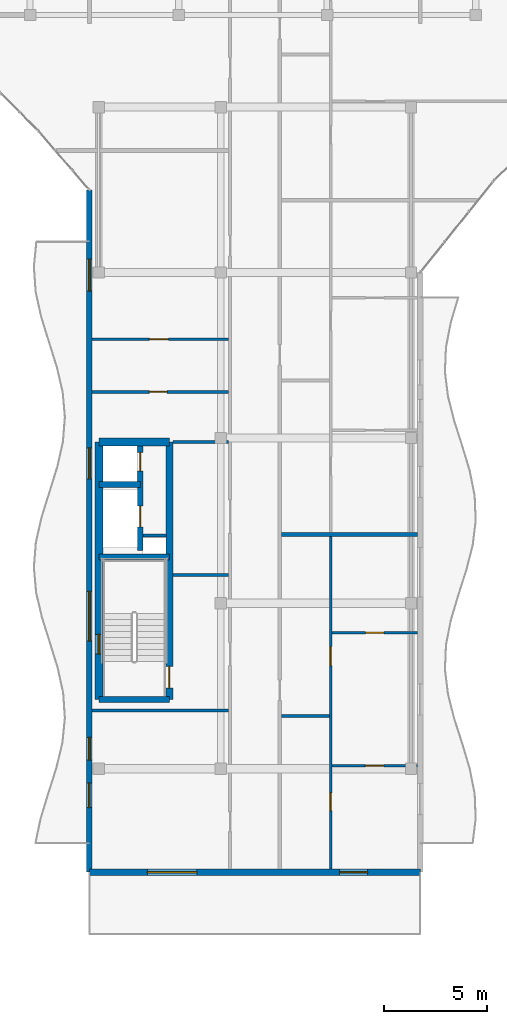
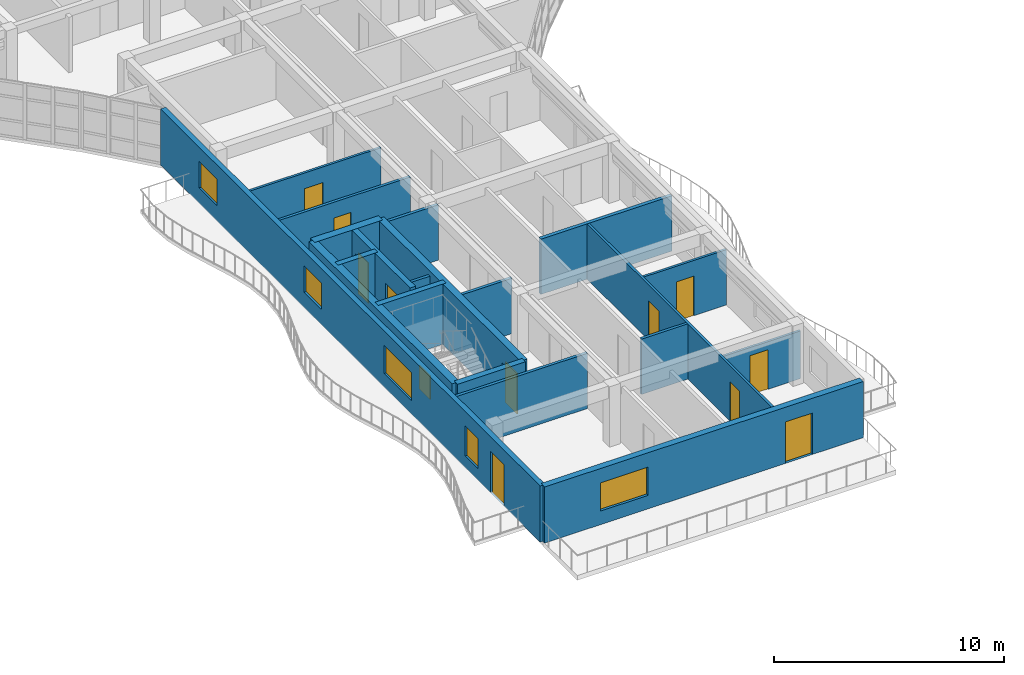
# One storey, part 30 of 54: 20 walls, 11 doors, 6 windows, 17 openings.
"""IFC4 building model written with IfcOpenShell, lengths in metres."""

from ifc_helpers import new_model, si_unit, direction, frame, frame_2d, origin, place, context, subcontext, project, spatial, rectangle, extrude, material, layer, layer_set, type_object, element, fill, save


model = new_model("IFC4")

# Units and contexts
model_context = context("Model", 3, precision=1e-05, world=origin(), true_north=direction((0.0, 1.0)))
body_context = subcontext(model_context, "Body", "Model", "MODEL_VIEW")
ifc_project = project(units=[si_unit("LENGTHUNIT", "METRE"), si_unit("AREAUNIT", "SQUARE_METRE"), si_unit("VOLUMEUNIT", "CUBIC_METRE"), si_unit("PLANEANGLEUNIT", "RADIAN"), si_unit("MASSUNIT", "GRAM", prefix="KILO")], contexts=[model_context])

# Site, building, storey
site_placement = place(None, origin())
site = spatial("IfcSite", under=ifc_project, at=site_placement, CompositionType="ELEMENT")
building_placement = place(site_placement, origin())
building = spatial("IfcBuilding", under=site, at=building_placement, Name="Keldmere Railside Commons", CompositionType="ELEMENT")
storey_placement = place(building_placement, frame((0.0, 0.0, 26.56005859375)))
storey = spatial("IfcBuildingStorey", under=building, at=storey_placement, Name="L08", CompositionType="ELEMENT", Elevation=26.56005859375)

# Wall
ifc_material_1 = material(Name="Acoustic Gypsum Board Partition", Category="gypsum")
ifc_layer_1 = layer(ifc_material_1, 0.179931640625, Name="Acoustic Demising Partition 180")
ifc_layer_set_1 = layer_set([ifc_layer_1], Name="Acoustic Gypsum Board Partition")
wall_type_1 = type_object("IfcWallType", Name="Acoustic Demising Partition 180", PredefinedType="PARTITIONING", material=ifc_layer_set_1)
wall_1_placement = place(storey_placement, frame((113.280029296875, 75.330078125, 0.0), z_axis=(0.0, 0.0, 1.0), x_axis=(1.0, 0.0, 0.0)))
element("IfcWall", 1, at=wall_1_placement, inside=storey, type_object=wall_type_1, Name="IW-1 IW-L08-1240", PredefinedType="PARTITIONING", context=body_context, shape_type="SweptSolid", body=[
    extrude(rectangle(XDim=6.590087890625, YDim=0.179931640625, at=frame_2d((3.294921875, 0.0))), origin(), (0.0, 0.0, 1.0), 2.93505859375),
])

# Wall, openings, doors
ifc_layer_2 = layer(ifc_material_1, 0.1201171875, Name="Apartment Interior Partition 120")
ifc_layer_set_2 = layer_set([ifc_layer_2], Name="Acoustic Gypsum Board Partition")
wall_type_2 = type_object("IfcWallType", Name="Apartment Interior Partition 120", PredefinedType="PARTITIONING", material=ifc_layer_set_2)
wall_2_placement = place(storey_placement, frame((115.659912109375, 59.159912109375, 0.0), z_axis=(0.0, 0.0, 1.0), x_axis=(0.0, 1.0, 0.0)))
wall_2 = element("IfcWall", 2, at=wall_2_placement, inside=storey, type_object=wall_type_2, Name="IW-4 IW-L08-1242", PredefinedType="PARTITIONING", context=body_context, shape_type="SweptSolid", body=[
    extrude(rectangle(XDim=16.080078125, YDim=0.1201171875, at=frame_2d((8.0400390625, 0.0))), origin(), (0.0, 0.0, 1.0), 2.93505859375),
])
opening_1_placement = place(wall_2_placement, frame((2.81201171875, 0.0, 0.0)))
opening_1 = element("IfcOpeningElement", 3, at=opening_1_placement, cuts=wall_2, Name="Opening ID-04", PredefinedType="OPENING", context=body_context, shape_type="SweptSolid", body=[
    extrude(rectangle(XDim=0.860107421875, YDim=2.10009765625, at=frame_2d((0.43017578125, 1.050048828125))), frame((0.0, 0.070068359375, 0.0), z_axis=(0.0, -1.0, 0.0), x_axis=(1.0, 0.0, 0.0)), (0.0, 0.0, 1.0), 0.14013671875),
])
opening_2_placement = place(wall_2_placement, frame((9.830322265625, 0.0, 0.0)))
opening_2 = element("IfcOpeningElement", 4, at=opening_2_placement, cuts=wall_2, Name="Opening ID-03", PredefinedType="OPENING", context=body_context, shape_type="SweptSolid", body=[
    extrude(rectangle(XDim=0.919921875, YDim=2.10009765625, at=frame_2d((0.4599609375, 1.050048828125))), frame((0.0, 0.070068359375, 0.0), z_axis=(0.0, -1.0, 0.0), x_axis=(1.0, 0.0, 0.0)), (0.0, 0.0, 1.0), 0.14013671875),
])
ifc_material_2 = material(Name="Engineered Oak Timber", Category="wood")
door_type_1 = type_object("IfcDoorType", Name="Apartment Bathroom Door 860x2100", OperationType="NOTDEFINED", PredefinedType="DOOR", material=ifc_material_2)
door_1_placement = place(opening_1_placement, origin())
door_1 = element("IfcDoor", 5, at=door_1_placement, inside=storey, type_object=door_type_1, Name="ID-04 IDR-L08-1100", OperationType="SINGLE_SWING_RIGHT", OverallHeight=2.10009765625, OverallWidth=0.860107421875, PredefinedType="DOOR", context=body_context, shape_type="SweptSolid", body=[
    extrude(rectangle(XDim=0.860107421875, YDim=2.10009765625, at=frame_2d((0.43017578125, 1.050048828125))), frame((0.0, 0.02490234375, 0.0), z_axis=(0.0, -1.0, 0.0), x_axis=(1.0, 0.0, 0.0)), (0.0, 0.0, 1.0), 0.050048828125),
])
fill(opening_1, door_1)
door_type_2 = type_object("IfcDoorType", Name="Kitchen Pocket-Frame Swing Door 920x2100", OperationType="NOTDEFINED", PredefinedType="DOOR", material=ifc_material_2)
door_2_placement = place(opening_2_placement, origin())
door_2 = element("IfcDoor", 6, at=door_2_placement, inside=storey, type_object=door_type_2, Name="ID-03 IDR-L08-1101", OperationType="SINGLE_SWING_LEFT", OverallHeight=2.10009765625, OverallWidth=0.919921875, PredefinedType="DOOR", context=body_context, shape_type="SweptSolid", body=[
    extrude(rectangle(XDim=0.919921875, YDim=2.10009765625, at=frame_2d((0.4599609375, 1.050048828125))), frame((0.0, 0.02490234375, 0.0), z_axis=(0.0, -1.0, 0.0), x_axis=(1.0, 0.0, 0.0)), (0.0, 0.0, 1.0), 0.050048828125),
])
fill(opening_2, door_2)

# Wall, opening, door
wall_3_placement = place(storey_placement, frame((115.719970703125, 64.139892578125, 0.0), z_axis=(0.0, 0.0, 1.0), x_axis=(1.0, 0.0, 0.0)))
wall_3 = element("IfcWall", 7, at=wall_3_placement, inside=storey, type_object=wall_type_2, Name="IW-4 IW-L08-1244", PredefinedType="PARTITIONING", context=body_context, shape_type="SweptSolid", body=[
    extrude(rectangle(XDim=4.150146484375, YDim=0.1201171875, at=frame_2d((2.0751953125, 0.0))), origin(), (0.0, 0.0, 1.0), 2.530029296875),
])
opening_3_placement = place(wall_3_placement, frame((1.625, 0.0, 0.0)))
opening_3 = element("IfcOpeningElement", 8, at=opening_3_placement, cuts=wall_3, Name="Opening ID-01", PredefinedType="OPENING", context=body_context, shape_type="SweptSolid", body=[
    extrude(rectangle(XDim=0.89990234375, YDim=2.10009765625, at=frame_2d((0.449951171875, 1.050048828125))), frame((0.0, 0.070068359375, 0.0), z_axis=(0.0, -1.0, 0.0), x_axis=(1.0, 0.0, 0.0)), (0.0, 0.0, 1.0), 0.14013671875),
])
door_type_3 = type_object("IfcDoorType", Name="Primary Bedroom Door 900x2100", OperationType="NOTDEFINED", PredefinedType="DOOR", material=ifc_material_2)
door_3_placement = place(opening_3_placement, origin())
door_3 = element("IfcDoor", 9, at=door_3_placement, inside=storey, type_object=door_type_3, Name="ID-01 IDR-L08-1103", OperationType="SINGLE_SWING_LEFT", OverallHeight=2.10009765625, OverallWidth=0.89990234375, PredefinedType="DOOR", context=body_context, shape_type="SweptSolid", body=[
    extrude(rectangle(XDim=0.89990234375, YDim=2.10009765625, at=frame_2d((0.449951171875, 1.050048828125))), frame((0.0, 0.02490234375, 0.0), z_axis=(0.0, -1.0, 0.0), x_axis=(1.0, 0.0, 0.0)), (0.0, 0.0, 1.0), 0.050048828125),
])
fill(opening_3, door_3)

wall_4_placement = place(storey_placement, frame((115.719970703125, 70.580078125, 0.0), z_axis=(0.0, 0.0, 1.0), x_axis=(1.0, 0.0, 0.0)))
wall_4 = element("IfcWall", 10, at=wall_4_placement, inside=storey, type_object=wall_type_2, Name="IW-4 IW-L08-1245", PredefinedType="PARTITIONING", context=body_context, shape_type="SweptSolid", body=[
    extrude(rectangle(XDim=4.150146484375, YDim=0.1201171875, at=frame_2d((2.0751953125, 0.0))), origin(), (0.0, 0.0, 1.0), 2.93505859375),
])
opening_4_placement = place(wall_4_placement, frame((1.635009765625, 0.0, 0.0)))
opening_4 = element("IfcOpeningElement", 11, at=opening_4_placement, cuts=wall_4, Name="Opening ID-02", PredefinedType="OPENING", context=body_context, shape_type="SweptSolid", body=[
    extrude(rectangle(XDim=0.8798828125, YDim=2.10009765625, at=frame_2d((0.43994140625, 1.050048828125))), frame((0.0, 0.070068359375, 0.0), z_axis=(0.0, -1.0, 0.0), x_axis=(1.0, 0.0, 0.0)), (0.0, 0.0, 1.0), 0.14013671875),
])
door_type_4 = type_object("IfcDoorType", Name="Secondary Bedroom Door 880x2100", OperationType="NOTDEFINED", PredefinedType="DOOR", material=ifc_material_2)
door_4_placement = place(opening_4_placement, origin())
door_4 = element("IfcDoor", 12, at=door_4_placement, inside=storey, type_object=door_type_4, Name="ID-02 IDR-L08-1104", OperationType="SINGLE_SWING_RIGHT", OverallHeight=2.10009765625, OverallWidth=0.8798828125, PredefinedType="DOOR", context=body_context, shape_type="SweptSolid", body=[
    extrude(rectangle(XDim=0.8798828125, YDim=2.10009765625, at=frame_2d((0.43994140625, 1.050048828125))), frame((0.0, 0.02490234375, 0.0), z_axis=(0.0, -1.0, 0.0), x_axis=(1.0, 0.0, 0.0)), (0.0, 0.0, 1.0), 0.050048828125),
])
fill(opening_4, door_4)

wall_5_placement = place(storey_placement, frame((104.1298828125, 84.780029296875, 0.0), z_axis=(0.0, 0.0, 1.0), x_axis=(1.0, 0.0, 0.0)))
wall_5 = element("IfcWall", 13, at=wall_5_placement, inside=storey, type_object=wall_type_2, Name="IW-4 IW-L08-1266", PredefinedType="PARTITIONING", context=body_context, shape_type="SweptSolid", body=[
    extrude(rectangle(XDim=6.590087890625, YDim=0.1201171875, at=frame_2d((3.294921875, 0.0))), origin(), (0.0, 0.0, 1.0), 2.93505859375),
])
opening_5_placement = place(wall_5_placement, frame((2.767822265625, 0.0, 0.0)))
opening_5 = element("IfcOpeningElement", 14, at=opening_5_placement, cuts=wall_5, Name="Opening ID-03", PredefinedType="OPENING", context=body_context, shape_type="SweptSolid", body=[
    extrude(rectangle(XDim=0.919921875, YDim=2.10009765625, at=frame_2d((0.4599609375, 1.050048828125))), frame((0.0, 0.070068359375, 0.0), z_axis=(0.0, -1.0, 0.0), x_axis=(1.0, 0.0, 0.0)), (0.0, 0.0, 1.0), 0.14013671875),
])
door_5_placement = place(opening_5_placement, origin())
door_5 = element("IfcDoor", 15, at=door_5_placement, inside=storey, type_object=door_type_2, Name="ID-03 IDR-L08-1131", OperationType="SINGLE_SWING_LEFT", OverallHeight=2.10009765625, OverallWidth=0.919921875, PredefinedType="DOOR", context=body_context, shape_type="SweptSolid", body=[
    extrude(rectangle(XDim=0.919921875, YDim=2.10009765625, at=frame_2d((0.4599609375, 1.050048828125))), frame((0.0, 0.02490234375, 0.0), z_axis=(0.0, -1.0, 0.0), x_axis=(1.0, 0.0, 0.0)), (0.0, 0.0, 1.0), 0.050048828125),
])
fill(opening_5, door_5)

# Walls
ifc_material_3 = material(Name="Concrete H-35 (C35/45)", Category="concrete")
ifc_layer_3 = layer(ifc_material_3, 0.280029296875, Name="Core Shear Wall 280")
ifc_layer_set_3 = layer_set([ifc_layer_3], Name="Concrete H-35 (C35/45)")
wall_type_3 = type_object("IfcWallType", Name="Core Shear Wall 280", PredefinedType="SHEAR", material=ifc_layer_set_3)
wall_6_placement = place(storey_placement, frame((104.4599609375, 74.239990234375, 0.0), z_axis=(0.0, 0.0, 1.0), x_axis=(1.0, 0.0, 0.0)))
element("IfcWall", 16, at=wall_6_placement, inside=storey, type_object=wall_type_3, Name="CSW-2 COREBM-L08-0532", PredefinedType="SHEAR", context=body_context, shape_type="SweptSolid", body=[
    extrude(rectangle(XDim=3.41015625, YDim=0.280029296875, at=frame_2d((1.705078125, 0.0))), origin(), (0.0, 0.0, 1.0), 3.199951171875),
])
wall_7_placement = place(storey_placement, frame((104.4599609375, 77.75, 0.0), z_axis=(0.0, 0.0, 1.0), x_axis=(1.0, 0.0, 0.0)))
element("IfcWall", 17, at=wall_7_placement, inside=storey, type_object=wall_type_3, Name="CSW-2 COREBL-L08-0533", PredefinedType="SHEAR", context=body_context, shape_type="SweptSolid", body=[
    extrude(rectangle(XDim=2.0, YDim=0.280029296875, at=frame_2d((1.0, 0.0))), origin(), (0.0, 0.0, 1.0), 3.199951171875),
])

# Wall, openings, doors
wall_8_placement = place(storey_placement, frame((106.4599609375, 74.550048828125, 0.0), z_axis=(0.0, 0.0, 1.0), x_axis=(0.0, 1.0, 0.0)))
wall_8 = element("IfcWall", 18, at=wall_8_placement, inside=storey, type_object=wall_type_3, Name="CSW-2 LSHB-L08-0534", PredefinedType="SHEAR", context=body_context, shape_type="SweptSolid", body=[
    extrude(rectangle(XDim=5.25, YDim=0.280029296875, at=frame_2d((2.625, 0.0))), origin(), (0.0, 0.0, 1.0), 3.199951171875),
])
opening_6_placement = place(wall_8_placement, frame((1.14990234375, 0.0, 0.0)))
opening_6 = element("IfcOpeningElement", 19, at=opening_6_placement, cuts=wall_8, Name="Opening LD-1", PredefinedType="OPENING", context=body_context, shape_type="SweptSolid", body=[
    extrude(rectangle(XDim=1.0, YDim=2.14990234375, at=frame_2d((0.5, 1.074951171875))), frame((0.0, 0.14990234375, 0.0), z_axis=(0.0, -1.0, 0.0), x_axis=(1.0, 0.0, 0.0)), (0.0, 0.0, 1.0), 0.300048828125),
])
opening_7_placement = place(wall_8_placement, frame((3.85009765625, 0.0, 0.0)))
opening_7 = element("IfcOpeningElement", 20, at=opening_7_placement, cuts=wall_8, Name="Opening LD-2", PredefinedType="OPENING", context=body_context, shape_type="SweptSolid", body=[
    extrude(rectangle(XDim=0.89990234375, YDim=2.14990234375, at=frame_2d((0.449951171875, 1.074951171875))), frame((0.0, 0.14990234375, 0.0), z_axis=(0.0, -1.0, 0.0), x_axis=(1.0, 0.0, 0.0)), (0.0, 0.0, 1.0), 0.300048828125),
])
ifc_material_4 = material(Name="Steel F-24 (S235)", Category="steel")
door_type_5 = type_object("IfcDoorType", Name="Firefighting Stretcher Lift Landing Door 1000x2150", OperationType="SLIDING_TO_LEFT", PredefinedType="DOOR", material=ifc_material_4)
door_6_placement = place(opening_6_placement, origin())
door_6 = element("IfcDoor", 21, at=door_6_placement, inside=storey, type_object=door_type_5, Name="LD-1 B L08", OperationType="SLIDING_TO_LEFT", OverallHeight=2.14990234375, OverallWidth=1.0, PredefinedType="DOOR", context=body_context, shape_type="SweptSolid", body=[
    extrude(rectangle(XDim=1.0, YDim=2.14990234375, at=frame_2d((0.5, 1.074951171875))), frame((0.0, 0.02490234375, 0.0), z_axis=(0.0, -1.0, 0.0), x_axis=(1.0, 0.0, 0.0)), (0.0, 0.0, 1.0), 0.050048828125),
])
fill(opening_6, door_6)
door_type_6 = type_object("IfcDoorType", Name="Passenger Lift Sliding Landing Door 900x2150", OperationType="SLIDING_TO_RIGHT", PredefinedType="DOOR", material=ifc_material_4)
door_7_placement = place(opening_7_placement, origin())
door_7 = element("IfcDoor", 22, at=door_7_placement, inside=storey, type_object=door_type_6, Name="LD-2 B L08", OperationType="SLIDING_TO_RIGHT", OverallHeight=2.14990234375, OverallWidth=0.89990234375, PredefinedType="DOOR", context=body_context, shape_type="SweptSolid", body=[
    extrude(rectangle(XDim=0.89990234375, YDim=2.14990234375, at=frame_2d((0.449951171875, 1.074951171875))), frame((0.0, 0.02490234375, 0.0), z_axis=(0.0, -1.0, 0.0), x_axis=(1.0, 0.0, 0.0)), (0.0, 0.0, 1.0), 0.050048828125),
])
fill(opening_7, door_7)

# Wall, opening, window
ifc_material_5 = material(Name="Concrete H-40 (C40/50)", Category="concrete")
ifc_layer_4 = layer(ifc_material_5, 0.3798828125, Name="Core Shear Wall 380")
ifc_layer_set_4 = layer_set([ifc_layer_4], Name="Concrete H-40 (C40/50)")
wall_type_4 = type_object("IfcWallType", Name="Core Shear Wall 380", PredefinedType="SHEAR", material=ifc_layer_set_4)
wall_9_placement = place(storey_placement, frame((104.4599609375, 67.35009765625, 0.0), z_axis=(0.0, 0.0, 1.0), x_axis=(0.0, 1.0, 0.0)))
wall_9 = element("IfcWall", 23, at=wall_9_placement, inside=storey, type_object=wall_type_4, Name="CW-CORE COREBW-L08-0528", PredefinedType="SHEAR", context=body_context, shape_type="SweptSolid", body=[
    extrude(rectangle(XDim=12.449951171875, YDim=0.3798828125, at=frame_2d((6.22509765625, 0.0))), origin(), (0.0, 0.0, 1.0), 3.199951171875),
])
opening_8_placement = place(wall_9_placement, frame((2.199951171875, 0.0, 0.969970703125)))
opening_8 = element("IfcOpeningElement", 24, at=opening_8_placement, cuts=wall_9, Name="Opening WN-17", PredefinedType="OPENING", context=body_context, shape_type="SweptSolid", body=[
    extrude(rectangle(XDim=0.949951171875, YDim=1.25, at=frame_2d((0.47509765625, 0.625))), frame((0.0, 0.199951171875, 0.0), z_axis=(0.0, -1.0, 0.0), x_axis=(1.0, 0.0, 0.0)), (0.0, 0.0, 1.0), 0.39990234375),
])
ifc_material_6 = material(Name="Low-E Insulated Double Glazing", Category="glass")
window_type_1 = type_object("IfcWindowType", Name="Stair Core Natural Smoke-Vent Window 950x1250", PartitioningType="SINGLE_PANEL", PredefinedType="WINDOW", material=ifc_material_6)
window_1_placement = place(opening_8_placement, origin())
window_1 = element("IfcWindow", 25, at=window_1_placement, inside=storey, type_object=window_type_1, Name="WN-17 WIN-L08-0345", OverallHeight=1.25, OverallWidth=0.949951171875, PartitioningType="SINGLE_PANEL", PredefinedType="WINDOW", context=body_context, shape_type="SweptSolid", body=[
    extrude(rectangle(XDim=0.949951171875, YDim=1.25, at=frame_2d((0.47509765625, 0.625))), frame((0.0, 0.030029296875, 0.0), z_axis=(0.0, -1.0, 0.0), x_axis=(1.0, 0.0, 0.0)), (0.0, 0.0, 1.0), 0.06005859375),
])
fill(opening_8, window_1)

# Wall
wall_10_placement = place(storey_placement, frame((104.4599609375, 79.800048828125, 0.0), z_axis=(0.0, 0.0, 1.0), x_axis=(1.0, 0.0, 0.0)))
element("IfcWall", 26, at=wall_10_placement, inside=storey, type_object=wall_type_4, Name="CW-CORE COREBN-L08-0529", PredefinedType="SHEAR", context=body_context, shape_type="SweptSolid", body=[
    extrude(rectangle(XDim=3.41015625, YDim=0.3798828125, at=frame_2d((1.705078125, 0.0))), origin(), (0.0, 0.0, 1.0), 3.199951171875),
])

# Wall, openings, window, door
ifc_layer_5 = layer(ifc_material_3, 0.320068359375, Name="Exterior Shear Wall 320")
ifc_layer_set_5 = layer_set([ifc_layer_5], Name="Concrete H-35 (C35/45)")
wall_type_5 = type_object("IfcWallType", Name="Exterior Shear Wall 320", PredefinedType="SHEAR", material=ifc_layer_set_5)
wall_11_placement = place(storey_placement, frame((120.0, 59.0, 0.0), z_axis=(0.0, 0.0, 1.0), x_axis=(-1.0, 0.0, 0.0)))
wall_11 = element("IfcWall", 27, at=wall_11_placement, inside=storey, type_object=wall_type_5, Name="ESW-2 EXTB-L08-0647", PredefinedType="SHEAR", context=body_context, shape_type="SweptSolid", body=[
    extrude(rectangle(XDim=16.0, YDim=0.320068359375, at=frame_2d((8.0, 0.0))), origin(), (0.0, 0.0, 1.0), 2.97998046875),
])
opening_9_placement = place(wall_11_placement, frame((2.550048828125, 0.0, 0.0)))
opening_9 = element("IfcOpeningElement", 28, at=opening_9_placement, cuts=wall_11, Name="Opening BD-03", PredefinedType="OPENING", context=body_context, shape_type="SweptSolid", body=[
    extrude(rectangle(XDim=1.35009765625, YDim=2.199951171875, at=frame_2d((0.675048828125, 1.10009765625))), frame((0.0, 0.169921875, 0.0), z_axis=(0.0, -1.0, 0.0), x_axis=(1.0, 0.0, 0.0)), (0.0, 0.0, 1.0), 0.340087890625),
])
opening_10_placement = place(wall_11_placement, frame((10.800048828125, 0.0, 0.719970703125)))
opening_10 = element("IfcOpeningElement", 29, at=opening_10_placement, cuts=wall_11, Name="Opening WN-05", PredefinedType="OPENING", context=body_context, shape_type="SweptSolid", body=[
    extrude(rectangle(XDim=2.39990234375, YDim=1.5, at=frame_2d((1.199951171875, 0.75))), frame((0.0, 0.169921875, 0.0), z_axis=(0.0, -1.0, 0.0), x_axis=(1.0, 0.0, 0.0)), (0.0, 0.0, 1.0), 0.340087890625),
])
window_type_2 = type_object("IfcWindowType", Name="Corner Dual-Aspect Ribbon Window 2400x1500", PartitioningType="SINGLE_PANEL", PredefinedType="WINDOW", material=ifc_material_6)
window_2_placement = place(opening_10_placement, origin())
window_2 = element("IfcWindow", 30, at=window_2_placement, inside=storey, type_object=window_type_2, Name="WN-05 WIN-L08-0492", OverallHeight=1.5, OverallWidth=2.39990234375, PartitioningType="SINGLE_PANEL", PredefinedType="WINDOW", context=body_context, shape_type="SweptSolid", body=[
    extrude(rectangle(XDim=2.39990234375, YDim=1.5, at=frame_2d((1.199951171875, 0.75))), frame((0.0, 0.030029296875, 0.0), z_axis=(0.0, -1.0, 0.0), x_axis=(1.0, 0.0, 0.0)), (0.0, 0.0, 1.0), 0.06005859375),
])
fill(opening_10, window_2)
ifc_material_7 = material(Name="Thermally Broken Aluminium", Category="aluminium")
door_type_7 = type_object("IfcDoorType", Name="Planted Roof-Terrace Lounge Door 1350x2200", OperationType="NOTDEFINED", PredefinedType="DOOR", material=ifc_material_7)
door_8_placement = place(opening_9_placement, origin())
door_8 = element("IfcDoor", 31, at=door_8_placement, inside=storey, type_object=door_type_7, Name="BD-03 DR-L08-0184", OperationType="SINGLE_SWING_RIGHT", OverallHeight=2.199951171875, OverallWidth=1.35009765625, PredefinedType="DOOR", context=body_context, shape_type="SweptSolid", body=[
    extrude(rectangle(XDim=1.35009765625, YDim=2.199951171875, at=frame_2d((0.675048828125, 1.10009765625))), frame((0.0, 0.02490234375, 0.0), z_axis=(0.0, -1.0, 0.0), x_axis=(1.0, 0.0, 0.0)), (0.0, 0.0, 1.0), 0.050048828125),
])
fill(opening_9, door_8)

# Wall
ifc_layer_6 = layer(ifc_material_3, 0.300048828125, Name="Interior Shear Wall 300")
ifc_layer_set_6 = layer_set([ifc_layer_6], Name="Concrete H-35 (C35/45)")
wall_type_6 = type_object("IfcWallType", Name="Interior Shear Wall 300", PredefinedType="SHEAR", material=ifc_layer_set_6)
wall_12_placement = place(storey_placement, frame((107.8701171875, 67.35009765625, 0.0), z_axis=(0.0, 0.0, 1.0), x_axis=(-1.0, 0.0, 0.0)))
element("IfcWall", 32, at=wall_12_placement, inside=storey, type_object=wall_type_6, Name="ISW-2 COREBS-L08-0531", PredefinedType="SHEAR", context=body_context, shape_type="SweptSolid", body=[
    extrude(rectangle(XDim=3.41015625, YDim=0.300048828125, at=frame_2d((1.705078125, 0.0))), origin(), (0.0, 0.0, 1.0), 3.199951171875),
])

# Wall, opening, door
ifc_layer_7 = layer(ifc_material_3, 0.340087890625, Name="Interior Shear Wall 340")
ifc_layer_set_7 = layer_set([ifc_layer_7], Name="Concrete H-35 (C35/45)")
wall_type_7 = type_object("IfcWallType", Name="Interior Shear Wall 340", PredefinedType="SHEAR", material=ifc_layer_set_7)
wall_13_placement = place(storey_placement, frame((107.8701171875, 79.800048828125, 0.0), z_axis=(0.0, 0.0, 1.0), x_axis=(0.0, -1.0, 0.0)))
wall_13 = element("IfcWall", 33, at=wall_13_placement, inside=storey, type_object=wall_type_7, Name="ISW-1 COREBE-L08-0530", PredefinedType="SHEAR", context=body_context, shape_type="SweptSolid", body=[
    extrude(rectangle(XDim=12.449951171875, YDim=0.340087890625, at=frame_2d((6.22509765625, 0.0))), origin(), (0.0, 0.0, 1.0), 3.199951171875),
])
opening_11_placement = place(wall_13_placement, frame((10.85009765625, 0.0, 0.0)))
opening_11 = element("IfcOpeningElement", 34, at=opening_11_placement, cuts=wall_13, Name="Opening FD-1", PredefinedType="OPENING", context=body_context, shape_type="SweptSolid", body=[
    extrude(rectangle(XDim=1.050048828125, YDim=2.14990234375, at=frame_2d((0.52490234375, 1.074951171875))), frame((0.0, 0.179931640625, 0.0), z_axis=(0.0, -1.0, 0.0), x_axis=(1.0, 0.0, 0.0)), (0.0, 0.0, 1.0), 0.360107421875),
])
door_type_8 = type_object("IfcDoorType", Name="Stair Core Fire Door 1050x2150", OperationType="NOTDEFINED", PredefinedType="DOOR", material=ifc_material_4)
door_9_placement = place(opening_11_placement, origin())
door_9 = element("IfcDoor", 35, at=door_9_placement, inside=storey, type_object=door_type_8, Name="FD-1 B1 L08", OperationType="SINGLE_SWING_LEFT", OverallHeight=2.14990234375, OverallWidth=1.050048828125, PredefinedType="DOOR", context=body_context, shape_type="SweptSolid", body=[
    extrude(rectangle(XDim=1.050048828125, YDim=2.14990234375, at=frame_2d((0.52490234375, 1.074951171875))), frame((0.0, 0.02490234375, 0.0), z_axis=(0.0, -1.0, 0.0), x_axis=(1.0, 0.0, 0.0)), (0.0, 0.0, 1.0), 0.050048828125),
])
fill(opening_11, door_9)

# Walls
ifc_layer_8 = layer(ifc_material_1, 0.14990234375, Name="Lobby Rated Partition 150")
ifc_layer_set_8 = layer_set([ifc_layer_8], Name="Acoustic Gypsum Board Partition")
wall_type_8 = type_object("IfcWallType", Name="Lobby Rated Partition 150", PredefinedType="PARTITIONING", material=ifc_layer_set_8)
wall_14_placement = place(storey_placement, frame((106.60009765625, 75.280029296875, 0.0), z_axis=(0.0, 0.0, 1.0), x_axis=(1.0, 0.0, 0.0)))
element("IfcWall", 36, at=wall_14_placement, inside=storey, type_object=wall_type_8, Name="IW-3 RSRNB-L08-0535", PredefinedType="PARTITIONING", context=body_context, shape_type="SweptSolid", body=[
    extrude(rectangle(XDim=1.1298828125, YDim=0.14990234375, at=frame_2d((0.56494140625, 0.0))), origin(), (0.0, 0.0, 1.0), 2.949951171875),
])
wall_15_placement = place(storey_placement, frame((104.1298828125, 66.820068359375, 0.0), z_axis=(0.0, 0.0, 1.0), x_axis=(1.0, 0.0, 0.0)))
element("IfcWall", 37, at=wall_15_placement, inside=storey, type_object=wall_type_8, Name="IW-3 IW-L08-1228", PredefinedType="PARTITIONING", context=body_context, shape_type="SweptSolid", body=[
    extrude(rectangle(XDim=6.590087890625, YDim=0.14990234375, at=frame_2d((3.294921875, 0.0))), origin(), (0.0, 0.0, 1.0), 2.93505859375),
])
for number, where, z_axis, x_axis, name in (
    (38, (108.0400390625, 73.3798828125, 0.0), (0.0, 0.0, 1.0), (1.0, 0.0, 0.0), "IW-3 IW-L08-1229"),
    (39, (108.0400390625, 79.800048828125, 0.0), (0.0, 0.0, 1.0), (1.0, 0.0, 0.0), "IW-3 IW-L08-1230"),
):
    element("IfcWall", number, at=place(storey_placement, frame(where, z_axis=z_axis, x_axis=x_axis)), inside=storey, type_object=wall_type_8, Name=name, PredefinedType="PARTITIONING", context=body_context, shape_type="SweptSolid", body=[
        extrude(rectangle(XDim=2.679931640625, YDim=0.14990234375, at=frame_2d((1.33984375, 0.0))), origin(), (0.0, 0.0, 1.0), 2.93505859375),
    ])

# Wall, openings, door, windows
ifc_material_8 = material(Name="Terracotta Brick Masonry", Category="masonry")
ifc_layer_9 = layer(ifc_material_8, 0.260009765625, Name="Terracotta Cavity Wall 260")
ifc_layer_set_9 = layer_set([ifc_layer_9], Name="Terracotta Brick Masonry")
wall_type_9 = type_object("IfcWallType", Name="Terracotta Cavity Wall 260", PredefinedType="SOLIDWALL", material=ifc_layer_set_9)
wall_16_placement = place(storey_placement, frame((104.0, 59.0, 0.0), z_axis=(0.0, 0.0, 1.0), x_axis=(0.0, 1.0, 0.0)))
wall_16 = element("IfcWall", 40, at=wall_16_placement, inside=storey, type_object=wall_type_9, Name="EW-1 EXTB-L08-0654", PredefinedType="SOLIDWALL", context=body_context, shape_type="SweptSolid", body=[
    extrude(rectangle(XDim=33.0, YDim=0.260009765625, at=frame_2d((16.5, 0.0))), origin(), (0.0, 0.0, 1.0), 2.97998046875),
])
opening_12_placement = place(wall_16_placement, frame((3.125, 0.0, 0.0)))
opening_12 = element("IfcOpeningElement", 41, at=opening_12_placement, cuts=wall_16, Name="Opening BD-01", PredefinedType="OPENING", context=body_context, shape_type="SweptSolid", body=[
    extrude(rectangle(XDim=1.199951171875, YDim=2.199951171875, at=frame_2d((0.60009765625, 1.10009765625))), frame((0.0, 0.139892578125, 0.0), z_axis=(0.0, -1.0, 0.0), x_axis=(1.0, 0.0, 0.0)), (0.0, 0.0, 1.0), 0.280029296875),
])
opening_13_placement = place(wall_16_placement, frame((5.425048828125, 0.0, 0.6201171875)))
opening_13 = element("IfcOpeningElement", 42, at=opening_13_placement, cuts=wall_16, Name="Opening WN-16", PredefinedType="OPENING", context=body_context, shape_type="SweptSolid", body=[
    extrude(rectangle(XDim=1.10009765625, YDim=1.60009765625, at=frame_2d((0.550048828125, 0.800048828125))), frame((0.0, 0.139892578125, 0.0), z_axis=(0.0, -1.0, 0.0), x_axis=(1.0, 0.0, 0.0)), (0.0, 0.0, 1.0), 0.280029296875),
])
opening_14_placement = place(wall_16_placement, frame((11.175048828125, 0.0, 0.719970703125)))
opening_14 = element("IfcOpeningElement", 43, at=opening_14_placement, cuts=wall_16, Name="Opening WN-05", PredefinedType="OPENING", context=body_context, shape_type="SweptSolid", body=[
    extrude(rectangle(XDim=2.39990234375, YDim=1.5, at=frame_2d((1.199951171875, 0.75))), frame((0.0, 0.139892578125, 0.0), z_axis=(0.0, -1.0, 0.0), x_axis=(1.0, 0.0, 0.0)), (0.0, 0.0, 1.0), 0.280029296875),
])
opening_15_placement = place(wall_16_placement, frame((19.02490234375, 0.0, 0.820068359375)))
opening_15 = element("IfcOpeningElement", 44, at=opening_15_placement, cuts=wall_16, Name="Opening WN-06", PredefinedType="OPENING", context=body_context, shape_type="SweptSolid", body=[
    extrude(rectangle(XDim=1.5, YDim=1.39990234375, at=frame_2d((0.75, 0.699951171875))), frame((0.0, 0.139892578125, 0.0), z_axis=(0.0, -1.0, 0.0), x_axis=(1.0, 0.0, 0.0)), (0.0, 0.0, 1.0), 0.280029296875),
])
opening_16_placement = place(wall_16_placement, frame((28.10009765625, 0.0, 0.820068359375)))
opening_16 = element("IfcOpeningElement", 45, at=opening_16_placement, cuts=wall_16, Name="Opening WN-07", PredefinedType="OPENING", context=body_context, shape_type="SweptSolid", body=[
    extrude(rectangle(XDim=1.550048828125, YDim=1.39990234375, at=frame_2d((0.77490234375, 0.699951171875))), frame((0.0, 0.139892578125, 0.0), z_axis=(0.0, -1.0, 0.0), x_axis=(1.0, 0.0, 0.0)), (0.0, 0.0, 1.0), 0.280029296875),
])
door_type_9 = type_object("IfcDoorType", Name="Apartment Living Wave-Balcony Glazed Door 1200x2200", OperationType="NOTDEFINED", PredefinedType="DOOR", material=ifc_material_7)
door_10_placement = place(opening_12_placement, origin())
door_10 = element("IfcDoor", 46, at=door_10_placement, inside=storey, type_object=door_type_9, Name="BD-01 DR-L08-0189", OperationType="SINGLE_SWING_LEFT", OverallHeight=2.199951171875, OverallWidth=1.199951171875, PredefinedType="DOOR", context=body_context, shape_type="SweptSolid", body=[
    extrude(rectangle(XDim=1.199951171875, YDim=2.199951171875, at=frame_2d((0.60009765625, 1.10009765625))), frame((0.0, 0.02490234375, 0.0), z_axis=(0.0, -1.0, 0.0), x_axis=(1.0, 0.0, 0.0)), (0.0, 0.0, 1.0), 0.050048828125),
])
fill(opening_12, door_10)
window_3_placement = place(opening_14_placement, origin())
window_3 = element("IfcWindow", 47, at=window_3_placement, inside=storey, type_object=window_type_2, Name="WN-05 WIN-L08-0506", OverallHeight=1.5, OverallWidth=2.39990234375, PartitioningType="SINGLE_PANEL", PredefinedType="WINDOW", context=body_context, shape_type="SweptSolid", body=[
    extrude(rectangle(XDim=2.39990234375, YDim=1.5, at=frame_2d((1.199951171875, 0.75))), frame((0.0, 0.030029296875, 0.0), z_axis=(0.0, -1.0, 0.0), x_axis=(1.0, 0.0, 0.0)), (0.0, 0.0, 1.0), 0.06005859375),
])
fill(opening_14, window_3)
window_type_3 = type_object("IfcWindowType", Name="Corridor End Daylight Window 1100x1600", PartitioningType="SINGLE_PANEL", PredefinedType="WINDOW", material=ifc_material_6)
window_4_placement = place(opening_13_placement, origin())
window_4 = element("IfcWindow", 48, at=window_4_placement, inside=storey, type_object=window_type_3, Name="WN-16 WIN-L08-0505", OverallHeight=1.60009765625, OverallWidth=1.10009765625, PartitioningType="SINGLE_PANEL", PredefinedType="WINDOW", context=body_context, shape_type="SweptSolid", body=[
    extrude(rectangle(XDim=1.10009765625, YDim=1.60009765625, at=frame_2d((0.550048828125, 0.800048828125))), frame((0.0, 0.030029296875, 0.0), z_axis=(0.0, -1.0, 0.0), x_axis=(1.0, 0.0, 0.0)), (0.0, 0.0, 1.0), 0.06005859375),
])
fill(opening_13, window_4)
window_type_4 = type_object("IfcWindowType", Name="Primary Bedroom North Window 1500x1400", PartitioningType="SINGLE_PANEL", PredefinedType="WINDOW", material=ifc_material_6)
window_5_placement = place(opening_15_placement, origin())
window_5 = element("IfcWindow", 49, at=window_5_placement, inside=storey, type_object=window_type_4, Name="WN-06 WIN-L08-0507", OverallHeight=1.39990234375, OverallWidth=1.5, PartitioningType="SINGLE_PANEL", PredefinedType="WINDOW", context=body_context, shape_type="SweptSolid", body=[
    extrude(rectangle(XDim=1.5, YDim=1.39990234375, at=frame_2d((0.75, 0.699951171875))), frame((0.0, 0.030029296875, 0.0), z_axis=(0.0, -1.0, 0.0), x_axis=(1.0, 0.0, 0.0)), (0.0, 0.0, 1.0), 0.06005859375),
])
fill(opening_15, window_5)
window_type_5 = type_object("IfcWindowType", Name="Primary Bedroom South Window 1550x1400", PartitioningType="SINGLE_PANEL", PredefinedType="WINDOW", material=ifc_material_6)
window_6_placement = place(opening_16_placement, origin())
window_6 = element("IfcWindow", 50, at=window_6_placement, inside=storey, type_object=window_type_5, Name="WN-07 WIN-L08-0508", OverallHeight=1.39990234375, OverallWidth=1.550048828125, PartitioningType="SINGLE_PANEL", PredefinedType="WINDOW", context=body_context, shape_type="SweptSolid", body=[
    extrude(rectangle(XDim=1.550048828125, YDim=1.39990234375, at=frame_2d((0.77490234375, 0.699951171875))), frame((0.0, 0.030029296875, 0.0), z_axis=(0.0, -1.0, 0.0), x_axis=(1.0, 0.0, 0.0)), (0.0, 0.0, 1.0), 0.06005859375),
])
fill(opening_16, window_6)

# Wall
ifc_layer_10 = layer(ifc_material_1, 0.139892578125, Name="Wet-Room Sanitary Partition 140")
ifc_layer_set_10 = layer_set([ifc_layer_10], Name="Acoustic Gypsum Board Partition")
wall_type_10 = type_object("IfcWallType", Name="Wet-Room Sanitary Partition 140", PredefinedType="PARTITIONING", material=ifc_layer_set_10)
wall_17_placement = place(storey_placement, frame((113.280029296875, 66.56005859375, 0.0), z_axis=(0.0, 0.0, 1.0), x_axis=(1.0, 0.0, 0.0)))
element("IfcWall", 51, at=wall_17_placement, inside=storey, type_object=wall_type_10, Name="IW-5 IW-L08-1243", PredefinedType="PARTITIONING", context=body_context, shape_type="SweptSolid", body=[
    extrude(rectangle(XDim=2.320068359375, YDim=0.139892578125, at=frame_2d((1.16015625, 0.0))), origin(), (0.0, 0.0, 1.0), 2.93505859375),
])

# Wall, opening, door
wall_18_placement = place(storey_placement, frame((104.1298828125, 82.22998046875, 0.0), z_axis=(0.0, 0.0, 1.0), x_axis=(1.0, 0.0, 0.0)))
wall_18 = element("IfcWall", 52, at=wall_18_placement, inside=storey, type_object=wall_type_10, Name="IW-5 IW-L08-1265", PredefinedType="PARTITIONING", context=body_context, shape_type="SweptSolid", body=[
    extrude(rectangle(XDim=6.590087890625, YDim=0.139892578125, at=frame_2d((3.294921875, 0.0))), origin(), (0.0, 0.0, 1.0), 2.93505859375),
])
opening_17_placement = place(wall_18_placement, frame((2.767822265625, 0.0, 0.0)))
opening_17 = element("IfcOpeningElement", 53, at=opening_17_placement, cuts=wall_18, Name="Opening ID-04", PredefinedType="OPENING", context=body_context, shape_type="SweptSolid", body=[
    extrude(rectangle(XDim=0.860107421875, YDim=2.10009765625, at=frame_2d((0.43017578125, 1.050048828125))), frame((0.0, 0.079833984375, 0.0), z_axis=(0.0, -1.0, 0.0), x_axis=(1.0, 0.0, 0.0)), (0.0, 0.0, 1.0), 0.159912109375),
])
door_11_placement = place(opening_17_placement, origin())
door_11 = element("IfcDoor", 54, at=door_11_placement, inside=storey, type_object=door_type_1, Name="ID-04 IDR-L08-1130", OperationType="SINGLE_SWING_RIGHT", OverallHeight=2.10009765625, OverallWidth=0.860107421875, PredefinedType="DOOR", context=body_context, shape_type="SweptSolid", body=[
    extrude(rectangle(XDim=0.860107421875, YDim=2.10009765625, at=frame_2d((0.43017578125, 1.050048828125))), frame((0.0, 0.02490234375, 0.0), z_axis=(0.0, -1.0, 0.0), x_axis=(1.0, 0.0, 0.0)), (0.0, 0.0, 1.0), 0.050048828125),
])
fill(opening_17, door_11)

save(model, "model.ifc")
